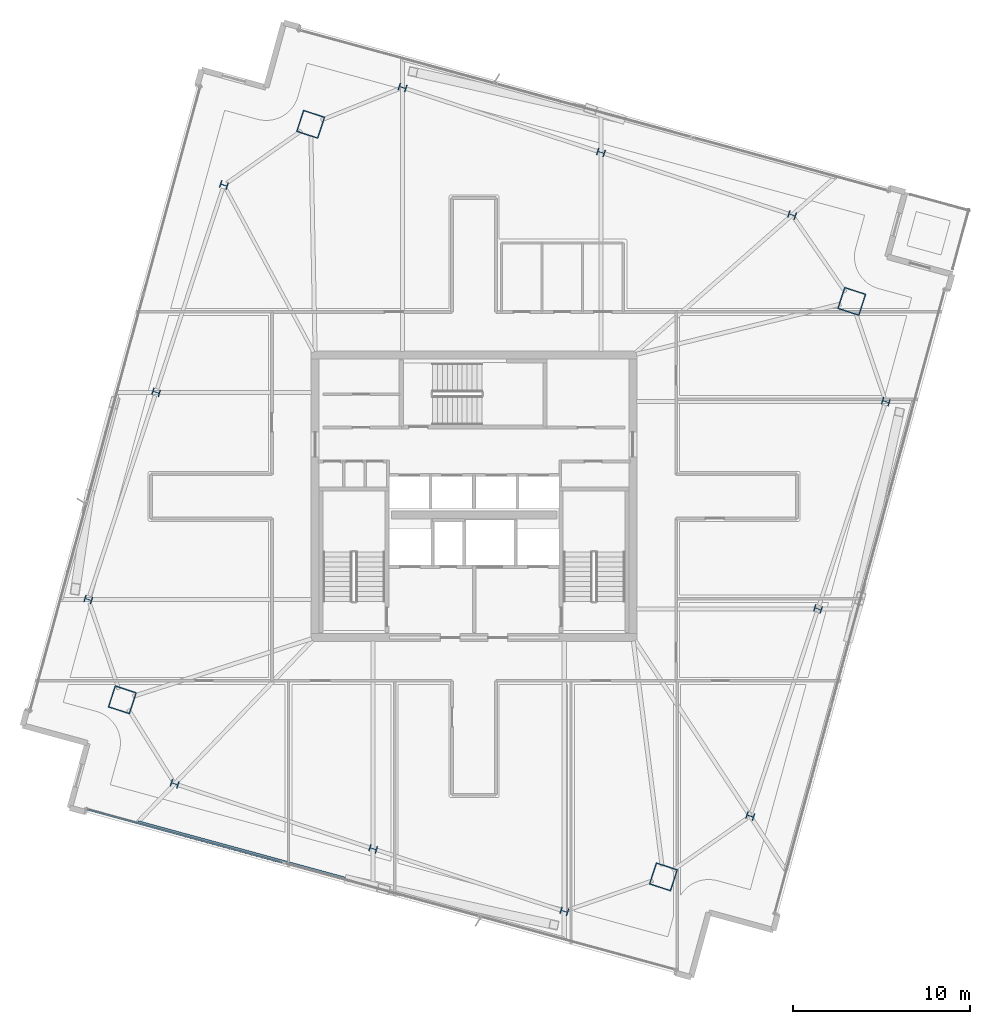
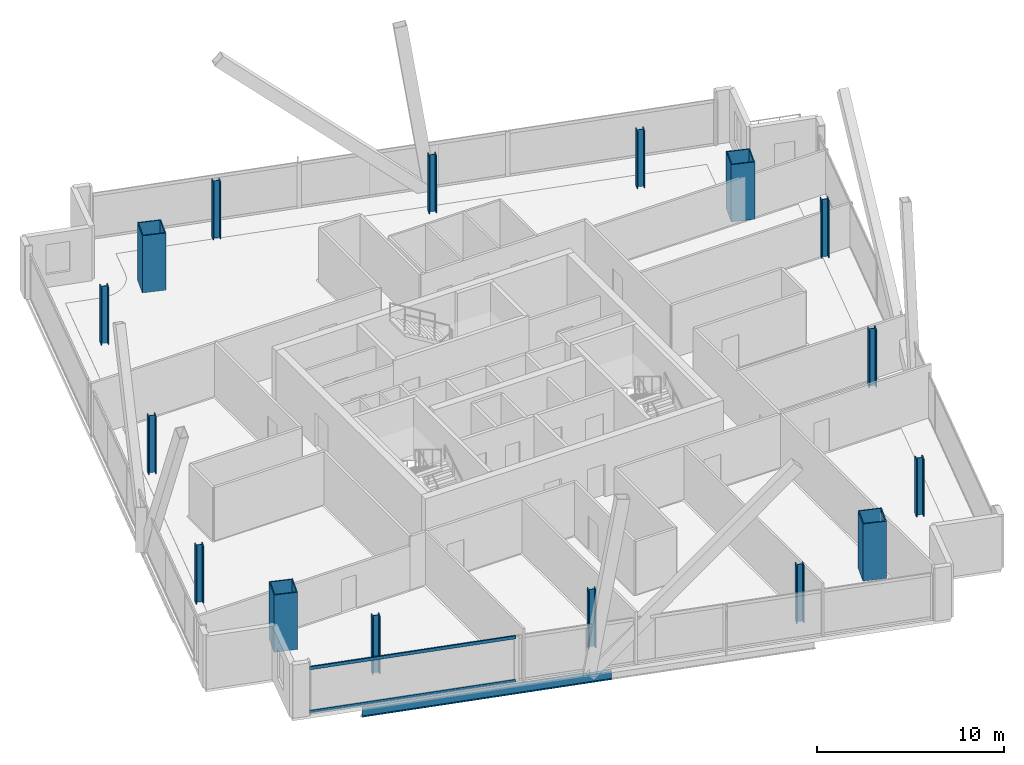
# One storey, part 1 of 26: 16 columns, 2 members, 1 beam, 1 element without a shape of its own.
"""IFC4 building model written with IfcOpenShell, lengths in metres."""

import ifcopenshell
import ifcopenshell.guid

model = None  # the IFC model being written
_history = None  # IfcOwnerHistory: only IFC2X3 demands one
_inside = {}  # id of a spatial element -> (the spatial element, [elements in it])
_under = {}  # id of a project, library or spatial element -> (it, [spatial elements below it])
_declared = {}  # id of a project -> (the project, [libraries it declares])
_typed = {}  # id of a type object -> (the type object, [elements of that type])
_made_of = {}  # id of a material, layer set ... -> (it, [elements and type objects made of it])


def new_model(schema):
    """Start an empty IFC model of exactly this schema.

    Asked for "IFC4X3", IfcOpenShell would pick the latest addendum, in which some entities
    have other attributes; the version numbers below select the first issue.
    IFC2X3 requires an IfcOwnerHistory on every rooted entity: one is made here for all.
    """
    global model, _history
    if schema == "IFC4X3":
        model = ifcopenshell.file(schema_version=(4, 3, 0, 0))
    else:
        model = ifcopenshell.file(schema=schema)
    _inside.clear()
    _under.clear()
    _declared.clear()
    _typed.clear()
    _made_of.clear()
    _history = None
    if model.schema == "IFC2X3":
        org = make("IfcOrganization", Name="unknown")
        user = make(
            "IfcPersonAndOrganization",
            ThePerson=make("IfcPerson", FamilyName="unknown"),
            TheOrganization=org,
        )
        app = make(
            "IfcApplication",
            ApplicationDeveloper=org,
            Version="unknown",
            ApplicationFullName="unknown",
            ApplicationIdentifier="unknown",
        )
        _history = make(
            "IfcOwnerHistory",
            OwningUser=user,
            OwningApplication=app,
            ChangeAction="ADDED",
            CreationDate=0,
        )
    return model


def make(cls, **values):
    """One entity of the class cls with the attributes given. An attribute that is None is left unset."""
    return model.create_entity(
        cls, **{name: value for name, value in values.items() if value is not None}
    )


def rooted(cls, **values):
    """An entity with a GlobalId (a new one), such as an element, a storey or a relation."""
    return make(cls, GlobalId=ifcopenshell.guid.new(), OwnerHistory=_history, **values)


def si_unit(unit_type, name, prefix=None):
    """IfcSIUnit, for example si_unit("LENGTHUNIT", "METRE", prefix="MILLI")."""
    return make("IfcSIUnit", UnitType=unit_type, Prefix=prefix, Name=name)


def assignment(units):
    """IfcUnitAssignment: the units of a project."""
    return None if units is None else make("IfcUnitAssignment", Units=units)


def point(xyz):
    """IfcCartesianPoint."""
    return None if xyz is None else make("IfcCartesianPoint", Coordinates=xyz)


def direction(xyz):
    """IfcDirection."""
    return None if xyz is None else make("IfcDirection", DirectionRatios=xyz)


def frame(location, z_axis=None, x_axis=None):
    """IfcAxis2Placement3D, a coordinate frame: its origin and axes. An axis left out is left unset."""
    return make(
        "IfcAxis2Placement3D",
        Location=point(location),
        Axis=direction(z_axis),
        RefDirection=direction(x_axis),
    )


def frame_2d(location, x_axis=None):
    """IfcAxis2Placement2D, a coordinate frame in the plane: its origin and x axis."""
    return make(
        "IfcAxis2Placement2D", Location=point(location), RefDirection=direction(x_axis)
    )


def origin():
    """The frame at (0, 0, 0) with its axes left unset."""
    return frame((0.0, 0.0, 0.0))


def origin_2d():
    """The frame at (0, 0) in the plane with its x axis left unset."""
    return frame_2d((0.0, 0.0))


def place(relative_to, where):
    """IfcLocalPlacement: puts the frame where relative to a parent placement (None: the world)."""
    return make(
        "IfcLocalPlacement", PlacementRelTo=relative_to, RelativePlacement=where
    )


def context(
    kind, dimensions, precision=None, world=None, true_north=None, identifier=None
):
    """IfcGeometricRepresentationContext, for example the 3D "Model" context."""
    return make(
        "IfcGeometricRepresentationContext",
        ContextIdentifier=identifier,
        ContextType=kind,
        CoordinateSpaceDimension=dimensions,
        Precision=precision,
        WorldCoordinateSystem=world,
        TrueNorth=true_north,
    )


def subcontext(parent, identifier, kind, view, scale=None):
    """IfcGeometricRepresentationSubContext, for example "Body" below "Model"."""
    return make(
        "IfcGeometricRepresentationSubContext",
        ContextIdentifier=identifier,
        ContextType=kind,
        ParentContext=parent,
        TargetScale=scale,
        TargetView=view,
    )


def project(units=None, contexts=None):
    """IfcProject with its units and contexts."""
    return rooted(
        "IfcProject",
        Name="project",
        RepresentationContexts=contexts,
        UnitsInContext=assignment(units),
    )


def spatial(cls, under=None, at=None, **own):
    """A site, building, storey or space (cls), placed at a placement, below another one or the project."""
    s = rooted(cls, ObjectPlacement=at, **own)
    if under is not None:
        _under.setdefault(under.id(), (under, []))[1].append(s)
    return s


def profile(cls, at=None, kind="AREA", **sizes):
    """A parametric profile (cls). Its sizes go by their IFC names, for example OverallWidth=200.0."""
    return make(cls, ProfileType=kind, Position=at, **sizes)


def hollow_rectangle(**sizes):
    """IfcRectangleHollowProfileDef."""
    return profile("IfcRectangleHollowProfileDef", **sizes)


def i_section(**sizes):
    """IfcIShapeProfileDef."""
    return profile("IfcIShapeProfileDef", **sizes)


def extrude(swept, where, along, depth):
    """IfcExtrudedAreaSolid: the profile swept, set in the frame where, extruded along a direction by depth."""
    return make(
        "IfcExtrudedAreaSolid",
        SweptArea=swept,
        Position=where,
        ExtrudedDirection=direction(along),
        Depth=depth,
    )


def shape(context_of_items, identifier, shape_type, items):
    """IfcShapeRepresentation: the items that make up one representation, for example the "Body"."""
    return make(
        "IfcShapeRepresentation",
        ContextOfItems=context_of_items,
        RepresentationIdentifier=identifier,
        RepresentationType=shape_type,
        Items=items,
    )


def material(Name=None, Category=None):
    """IfcMaterial."""
    return make("IfcMaterial", Name=Name, Category=Category)


def material_profile(
    of_material, cross_section, Name=None, Category=None, Priority=None
):
    """IfcMaterialProfile: a cross section and its material."""
    return make(
        "IfcMaterialProfile",
        Name=Name,
        Material=of_material,
        Profile=cross_section,
        Priority=Priority,
        Category=Category,
    )


def profile_set(profiles, Name=None, composite=None):
    """IfcMaterialProfileSet."""
    return make(
        "IfcMaterialProfileSet",
        Name=Name,
        MaterialProfiles=profiles,
        CompositeProfile=composite,
    )


def made_of(thing, what):
    """Note that an element or type object is made of a material, layer set ...; save() writes the relation."""
    if what is not None:
        _made_of.setdefault(what.id(), (what, []))[1].append(thing)
    return thing


def type_object(cls, material=None, **own):
    """A type object (cls), such as IfcWallType, which elements share."""
    return made_of(rooted(cls, **own), material)


def element(
    cls,
    number,
    at=None,
    inside=None,
    cuts=None,
    type_object=None,
    material=None,
    context=None,
    identifier="Body",
    shape_type=None,
    held_by="IfcProductDefinitionShape",
    body=None,
    shapes=None,
    **own,
):
    """One element of the class cls, such as IfcWall. Its Tag is "e" and its number.

    at: its placement. inside: the storey or other place that contains it. cuts: it is an
    opening in that element (IfcRelVoidsElement). A single representation is given by context,
    identifier, shape_type and body (its items); several are given by shapes. held_by: the class
    of the entity that holds the representations. save() writes the other relations.
    """
    e = rooted(cls, Tag="e%d" % number, ObjectPlacement=at, **own)
    if body is not None:
        shapes = [shape(context, identifier, shape_type, body)]
    if shapes is not None:
        e.Representation = make(held_by, Representations=shapes)
    if inside is not None:
        _inside.setdefault(inside.id(), (inside, []))[1].append(e)
    if cuts is not None:
        rooted(
            "IfcRelVoidsElement", RelatingBuildingElement=cuts, RelatedOpeningElement=e
        )
    if type_object is not None:
        _typed.setdefault(type_object.id(), (type_object, []))[1].append(e)
    return made_of(e, material)


def aggregate(whole, parts):
    """IfcRelAggregates: a whole, such as a stair, and the parts it consists of."""
    return rooted("IfcRelAggregates", RelatingObject=whole, RelatedObjects=parts)


def save(model, path):
    """Write the relations noted so far, then the file.

    IfcRelAggregates (storeys below a building ...), IfcRelContainedInSpatialStructure (elements
    in a storey), IfcRelDefinesByType, IfcRelAssociatesMaterial and IfcRelDeclares: one each for
    every whole, place, type object, material and project.
    """
    for whole, parts in _under.values():
        aggregate(whole, parts)
    for where, things in _inside.values():
        rooted(
            "IfcRelContainedInSpatialStructure",
            RelatedElements=things,
            RelatingStructure=where,
        )
    for kind, things in _typed.values():
        rooted("IfcRelDefinesByType", RelatedObjects=things, RelatingType=kind)
    for what, things in _made_of.values():
        rooted("IfcRelAssociatesMaterial", RelatedObjects=things, RelatingMaterial=what)
    for by, libraries in _declared.values():
        rooted("IfcRelDeclares", RelatingContext=by, RelatedDefinitions=libraries)
    model.write(path)


model = new_model("IFC4")

# Units and contexts
model_context = context("Model", 3, precision=1e-05, world=origin(), true_north=direction((0.0, 1.0)))
body_context = subcontext(model_context, "Body", "Model", "MODEL_VIEW")
ifc_project = project(units=[si_unit("LENGTHUNIT", "METRE"), si_unit("AREAUNIT", "SQUARE_METRE"), si_unit("VOLUMEUNIT", "CUBIC_METRE"), si_unit("PLANEANGLEUNIT", "RADIAN"), si_unit("MASSUNIT", "GRAM", prefix="KILO")], contexts=[model_context])

# Site, building, storey
site_placement = place(None, origin())
site = spatial("IfcSite", under=ifc_project, at=site_placement, CompositionType="ELEMENT")
building_placement = place(site_placement, origin())
building = spatial("IfcBuilding", under=site, at=building_placement, Name="Haldenkirk Collegiate Tower", CompositionType="ELEMENT")
storey_placement = place(building_placement, frame((0.0, 0.0, 278.699951171875)))
storey = spatial("IfcBuildingStorey", under=building, at=storey_placement, Name="L70", CompositionType="ELEMENT", Elevation=278.699951171875)

# Columns
ifc_material_1 = material(Name="Steel ASTM A913 Grade 65", Category="steel")
ifc_material_profile_1 = material_profile(ifc_material_1, i_section(OverallWidth=0.416015625, OverallDepth=0.445068359375, WebThickness=0.0390625, FlangeThickness=0.062744140625, at=origin_2d()), Name="W14X342")
ifc_profile_set_1 = profile_set([ifc_material_profile_1], Name="Steel ASTM A913 Grade 65")
column_type_1 = type_object("IfcColumnType", Name="COL-INT-W14X342", PredefinedType="COLUMN", material=ifc_profile_set_1)
for number, where, z_axis, x_axis, name in (
    (1, (51.64306640625, 7.888671875, 0.0), (0.0, 0.0, 1.0), (0.311008203279, 0.950407227189, 0.0), "L70 perimeter gravity column PC-S1"),
    (2, (55.4833984375, 19.624267578125, 0.0), (0.0, 0.0, 1.0), (0.311008203279, 0.950407227189, 0.0), "L70 perimeter gravity column PC-S2"),
    (3, (59.32373046875, 31.360107421875, 0.0), (0.0, 0.0, 1.0), (0.311008203279, 0.950407227189, 0.0), "L70 perimeter gravity column PC-S3"),
    (4, (54.01806640625, 41.9365234375, 0.0), (0.0, 0.0, 1.0), (0.311008203279, 0.950407227189, 0.0), "L70 perimeter gravity column PC-E1"),
    (5, (43.18994140625, 45.47998046875, 0.0), (0.0, 0.0, 1.0), (0.311008203279, 0.950407227189, 0.0), "L70 perimeter gravity column PC-E2"),
    (6, (31.949462890625, 49.158203125, 0.0), (0.0, 0.0, 1.0), (0.311008203279, 0.950407227189, 0.0), "L70 perimeter gravity column PC-E3"),
    (7, (21.830078125, 43.629150390625, 0.0), (0.0, 0.0, 1.0), (0.311008203279, 0.950407227189, 0.0), "L70 perimeter gravity column PC-N1"),
    (8, (17.98974609375, 31.8935546875, 0.0), (0.0, 0.0, 1.0), (0.311008203279, 0.950407227189, 0.0), "L70 perimeter gravity column PC-N2"),
    (9, (14.1494140625, 20.157958984375, 0.0), (0.0, 0.0, 1.0), (0.311008203279, 0.950407227189, 0.0), "L70 perimeter gravity column PC-N3"),
    (10, (19.042724609375, 9.71630859375, 0.0), (0.0, 0.0, 1.0), (0.311008203279, 0.950407227189, 0.0), "L70 perimeter gravity column PC-W1"),
    (11, (30.283203125, 6.0380859375, 0.0), (0.0, 0.0, 1.0), (0.311008203279, 0.950407227189, 0.0), "L70 perimeter gravity column PC-W2"),
    (12, (41.111083984375, 2.49462890625, 0.0), (0.0, 0.0, 1.0), (0.311008203279, 0.950407227189, 0.0), "L70 perimeter gravity column PC-W3"),
):
    element("IfcColumn", number, at=place(storey_placement, frame(where, z_axis=z_axis, x_axis=x_axis)), inside=storey, type_object=column_type_1, Name=name, PredefinedType="COLUMN", context=body_context, shape_type="SweptSolid", body=[
        extrude(i_section(OverallWidth=0.416015625, OverallDepth=0.445068359375, WebThickness=0.0390625, FlangeThickness=0.062744140625, at=origin_2d()), origin(), (0.0, 0.0, 1.0), 3.75),
    ])
ifc_material_2 = material(Name="Steel ASTM A572 Grade 50", Category="steel")
ifc_material_profile_2 = material_profile(ifc_material_2, hollow_rectangle(XDim=1.300048828125, YDim=1.300048828125, WallThickness=0.06005859375, at=origin_2d()), Name="BOX1300X1300X60")
ifc_profile_set_2 = profile_set([ifc_material_profile_2], Name="Steel ASTM A572 Grade 50")
column_type_2 = type_object("IfcColumnType", Name="COL-MEGA-BOX1300X1300X60", PredefinedType="COLUMN", material=ifc_profile_set_2)
for number, where, z_axis, x_axis, name in (
    (13, (46.72802734375, 4.444580078125, 0.0), (0.0, 0.0, 1.0), (0.311008203279, 0.950407227189, 0.0), "L70 corner mega-column MC1"),
    (14, (57.395751953125, 37.04345703125, 0.0), (0.0, 0.0, 1.0), (0.311008203279, 0.950407227189, 0.0), "L70 corner mega-column MC2"),
    (15, (26.7451171875, 47.073486328125, 0.0), (0.0, 0.0, 1.0), (0.311008203279, 0.950407227189, 0.0), "L70 corner mega-column MC3"),
    (16, (16.077392578125, 14.474609375, 0.0), (0.0, 0.0, 1.0), (0.311008203279, 0.950407227189, 0.0), "L70 corner mega-column MC4"),
):
    element("IfcColumn", number, at=place(storey_placement, frame(where, z_axis=z_axis, x_axis=x_axis)), inside=storey, type_object=column_type_2, Name=name, PredefinedType="COLUMN", context=body_context, shape_type="SweptSolid", body=[
        extrude(hollow_rectangle(XDim=1.300048828125, YDim=1.300048828125, WallThickness=0.06005859375, at=origin_2d()), origin(), (0.0, 0.0, 1.0), 3.75),
    ])

# Beam
ifc_material_3 = material(Name="Steel ASTM A992 Grade 50", Category="steel")
ifc_material_profile_3 = material_profile(ifc_material_3, i_section(OverallWidth=0.2099609375, OverallDepth=0.537109375, WebThickness=0.010986328125, FlangeThickness=0.017333984375, at=origin_2d()), Name="W21X68")
ifc_profile_set_3 = profile_set([ifc_material_profile_3], Name="Steel ASTM A992 Grade 50")
beam_type = type_object("IfcBeamType", Name="BM-SPANDREL-W21X68", PredefinedType="SPANDREL", material=ifc_profile_set_3)
beam_placement = place(storey_placement, frame((16.9443359375, 7.531982421875, -0.538330078125), z_axis=(0.964785008204, -0.263039707925, 0.0), x_axis=(0.263039707925, 0.964785008204, 0.0)))
element("IfcBeam", 17, at=beam_placement, inside=storey, type_object=beam_type, Name="L70 outer facade edge beam 4A", PredefinedType="SPANDREL", context=body_context, shape_type="SweptSolid", body=[
    extrude(i_section(OverallWidth=0.2099609375, OverallDepth=0.537109375, WebThickness=0.010986328125, FlangeThickness=0.017333984375, at=origin_2d()), origin(), (0.0, 0.0, 1.0), 13.82568359375),
])

# Curtain wall, members
ifc_material_4 = material(Name="Anodised architectural bronze aluminium", Category="aluminium")
curtain_wall_type = type_object("IfcCurtainWallType", Name="CW-SYS1B-CONVEX-HI", PredefinedType="USERDEFINED", material=ifc_material_4)
curtain_wall_placement = place(storey_placement, origin())
curtain_wall = element("IfcCurtainWall", 18, at=curtain_wall_placement, inside=storey, type_object=curtain_wall_type, Name="L70 Upper tower high-wind convex bronze unitised curtain wall", ObjectType="UNITISED CURTAIN WALL", PredefinedType="USERDEFINED")
ifc_material_profile_4 = material_profile(ifc_material_4, hollow_rectangle(XDim=0.0849609375, YDim=0.199951171875, WallThickness=0.0048828125, at=origin_2d()), Name="CW-TRN-1B")
ifc_profile_set_4 = profile_set([ifc_material_profile_4], Name="Anodised architectural bronze aluminium")
member_type = type_object("IfcMemberType", Name="CW-TRN-1B", PredefinedType="USERDEFINED", material=ifc_profile_set_4)
member_1_placement = place(storey_placement, frame((25.12744140625, 5.259521484375, 0.04248046875), z_axis=(-0.964788953698, 0.263025236093, 0.0), x_axis=(-0.263025236093, -0.964788953698, 0.0)))
member_1 = element("IfcMember", 19, at=member_1_placement, type_object=member_type, Name="CW-1B transom 3.1", ObjectType="TRANSOM", PredefinedType="USERDEFINED", context=body_context, shape_type="SweptSolid", body=[
    extrude(hollow_rectangle(XDim=0.0849609375, YDim=0.199951171875, WallThickness=0.0048828125, at=origin_2d()), origin(), (0.0, 0.0, 1.0), 11.430908203125),
])
member_2_placement = place(storey_placement, frame((25.12744140625, 5.259521484375, 2.8955078125), z_axis=(-0.964788953698, 0.263025236093, 0.0), x_axis=(-0.263025236093, -0.964788953698, 0.0)))
member_2 = element("IfcMember", 20, at=member_2_placement, type_object=member_type, Name="CW-1B transom 3.2", ObjectType="TRANSOM", PredefinedType="USERDEFINED", context=body_context, shape_type="SweptSolid", body=[
    extrude(hollow_rectangle(XDim=0.0849609375, YDim=0.199951171875, WallThickness=0.0048828125, at=origin_2d()), origin(), (0.0, 0.0, 1.0), 11.430908203125),
])
aggregate(curtain_wall, [member_1, member_2])

save(model, "model.ifc")
